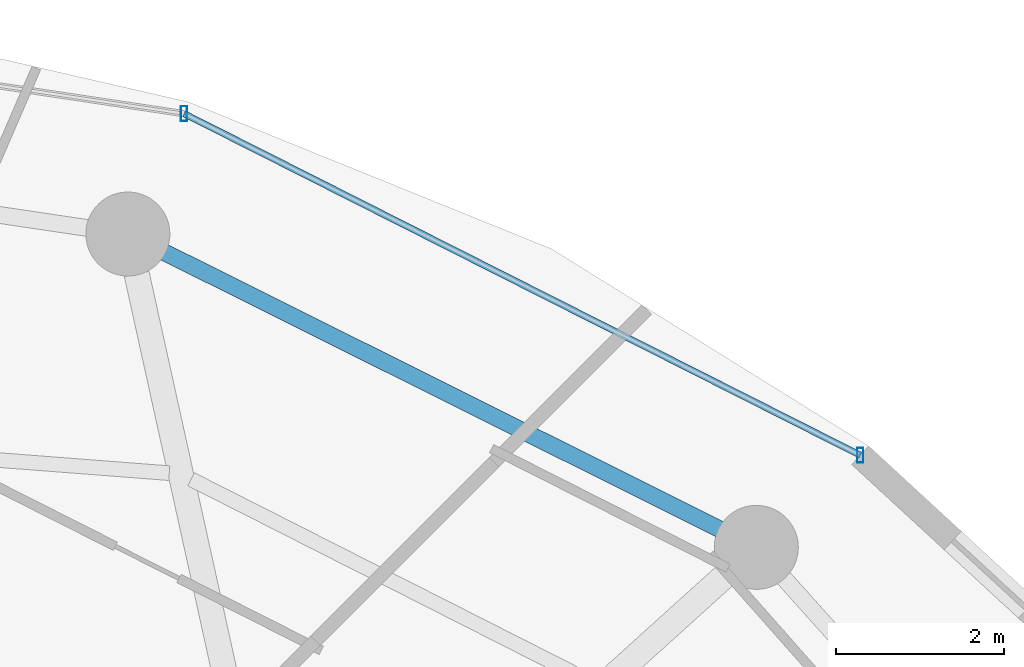
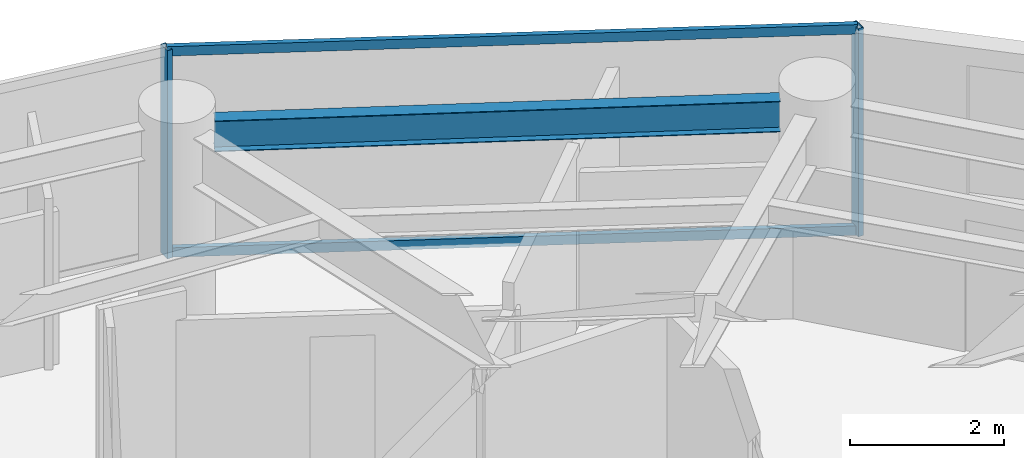
# One storey, part 20 of 31: 4 members, 1 beam, 1 element without a shape of its own.
"""IFC4 building model written with IfcOpenShell, lengths in metres."""

from ifc_helpers import new_model, si_unit, direction, frame, origin, origin_2d, place, context, subcontext, project, spatial, hollow_rectangle, i_section, extrude, material, material_profile, profile_set, type_object, element, aggregate, save


model = new_model("IFC4")

# Units and contexts
model_context = context("Model", 3, precision=1e-05, world=origin(), true_north=direction((0.0, 1.0)))
body_context = subcontext(model_context, "Body", "Model", "MODEL_VIEW")
ifc_project = project(units=[si_unit("LENGTHUNIT", "METRE"), si_unit("AREAUNIT", "SQUARE_METRE"), si_unit("VOLUMEUNIT", "CUBIC_METRE"), si_unit("PLANEANGLEUNIT", "RADIAN"), si_unit("MASSUNIT", "GRAM", prefix="KILO")], contexts=[model_context])

# Site, building, storey
site_placement = place(None, origin())
site = spatial("IfcSite", under=ifc_project, at=site_placement, CompositionType="ELEMENT")
building_placement = place(site_placement, origin())
building = spatial("IfcBuilding", under=site, at=building_placement, Name="Vorneva Point Tower", CompositionType="ELEMENT")
storey_placement = place(building_placement, frame((0.0, 0.0, 132.60009765625)))
storey = spatial("IfcBuildingStorey", under=building, at=storey_placement, Name="L35", CompositionType="ELEMENT", Elevation=132.60009765625)

# Beam
ifc_material_1 = material(Name="Steel S355", Category="steel")
ifc_material_profile_1 = material_profile(ifc_material_1, i_section(OverallWidth=0.199951171875, OverallDepth=0.491943359375, WebThickness=0.0087890625, FlangeThickness=0.011962890625, at=origin_2d()), Name="50B1")
ifc_profile_set_1 = profile_set([ifc_material_profile_1], Name="Steel S355")
beam_type = type_object("IfcBeamType", Name="BM-SPN-50B1", PredefinedType="SPANDREL", material=ifc_profile_set_1)
beam_placement = place(storey_placement, frame((53.86474609375, 38.378662109375, 2.993896484375), z_axis=(-0.894929061397, 0.446208443518, 0.0), x_axis=(-0.446208443518, -0.894929061397, 0.0)))
element("IfcBeam", 1, at=beam_placement, inside=storey, type_object=beam_type, Name="L35 Perimeter Spandrel Ring Beam 03", PredefinedType="SPANDREL", context=body_context, shape_type="SweptSolid", body=[
    extrude(i_section(OverallWidth=0.199951171875, OverallDepth=0.491943359375, WebThickness=0.0087890625, FlangeThickness=0.011962890625, at=origin_2d()), origin(), (0.0, 0.0, 1.0), 7.385986328125),
])

# Curtain wall, members
ifc_material_2 = material(Name="Pale anodised aluminium", Category="aluminium")
curtain_wall_type = type_object("IfcCurtainWallType", Name="CW-RES-SYS", PredefinedType="NOTDEFINED", material=ifc_material_2)
curtain_wall_placement = place(storey_placement, origin())
curtain_wall = element("IfcCurtainWall", 2, at=curtain_wall_placement, inside=storey, type_object=curtain_wall_type, Name="L35 Unitised Curtain Wall CW-L35-R02", PredefinedType="NOTDEFINED")
ifc_material_profile_2 = material_profile(ifc_material_2, hollow_rectangle(XDim=0.074951171875, YDim=0.179931640625, WallThickness=0.00390625, at=origin_2d()), Name="AL-MUL 180x75x4")
ifc_profile_set_2 = profile_set([ifc_material_profile_2], Name="Pale anodised aluminium")
member_type_1 = type_object("IfcMemberType", Name="CW-MUL-180", PredefinedType="MULLION", material=ifc_profile_set_2)
member_1_placement = place(storey_placement, frame((55.5361328125, 39.25830078125, -0.0400390625), z_axis=(0.0, 0.0, 1.0), x_axis=(1.0, 0.0, 0.0)))
member_1 = element("IfcMember", 3, at=member_1_placement, type_object=member_type_1, Name="CW-L35-R02 Mullion 01", PredefinedType="MULLION", context=body_context, shape_type="SweptSolid", body=[
    extrude(hollow_rectangle(XDim=0.074951171875, YDim=0.179931640625, WallThickness=0.00390625, at=origin_2d()), origin(), (0.0, 0.0, 1.0), 3.31005859375),
])
member_2_placement = place(storey_placement, frame((47.490478515625, 43.32275390625, -0.0400390625), z_axis=(0.0, 0.0, 1.0), x_axis=(1.0, 0.0, 0.0)))
member_2 = element("IfcMember", 4, at=member_2_placement, type_object=member_type_1, Name="CW-L35-R02 Mullion 02", PredefinedType="MULLION", context=body_context, shape_type="SweptSolid", body=[
    extrude(hollow_rectangle(XDim=0.074951171875, YDim=0.179931640625, WallThickness=0.00390625, at=origin_2d()), origin(), (0.0, 0.0, 1.0), 3.31005859375),
])
ifc_material_profile_3 = material_profile(ifc_material_2, hollow_rectangle(XDim=0.074951171875, YDim=0.14990234375, WallThickness=0.00390625, at=origin_2d()), Name="AL-TRN 150x75x4")
ifc_profile_set_3 = profile_set([ifc_material_profile_3], Name="Pale anodised aluminium")
member_type_2 = type_object("IfcMemberType", Name="CW-TRN-150", PredefinedType="USERDEFINED", material=ifc_profile_set_3)
member_3_placement = place(storey_placement, frame((55.5361328125, 39.25830078125, 0.02001953125), z_axis=(-0.892572392955, 0.450904117673, 0.0), x_axis=(-0.450904117673, -0.892572392955, 0.0)))
member_3 = element("IfcMember", 5, at=member_3_placement, type_object=member_type_2, Name="CW-L35-R02 Transom 01.1", ObjectType="TRANSOM", PredefinedType="USERDEFINED", context=body_context, shape_type="SweptSolid", body=[
    extrude(hollow_rectangle(XDim=0.074951171875, YDim=0.14990234375, WallThickness=0.00390625, at=origin_2d()), origin(), (0.0, 0.0, 1.0), 9.013916015625),
])
member_4_placement = place(storey_placement, frame((55.5361328125, 39.25830078125, 3.219970703125), z_axis=(-0.892572392955, 0.450904117673, 0.0), x_axis=(-0.450904117673, -0.892572392955, 0.0)))
member_4 = element("IfcMember", 6, at=member_4_placement, type_object=member_type_2, Name="CW-L35-R02 Transom 01.2", ObjectType="TRANSOM", PredefinedType="USERDEFINED", context=body_context, shape_type="SweptSolid", body=[
    extrude(hollow_rectangle(XDim=0.074951171875, YDim=0.14990234375, WallThickness=0.00390625, at=origin_2d()), origin(), (0.0, 0.0, 1.0), 9.013916015625),
])
aggregate(curtain_wall, [member_1, member_2, member_3, member_4])

save(model, "model.ifc")
